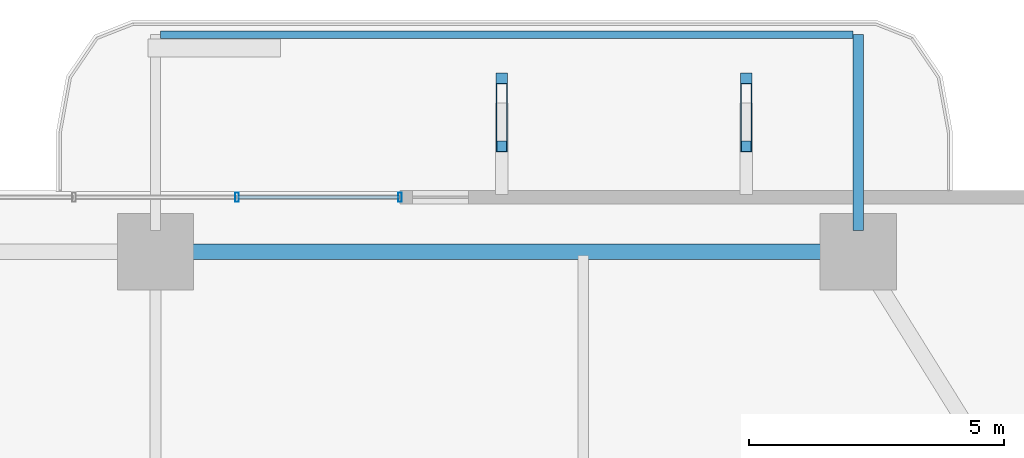
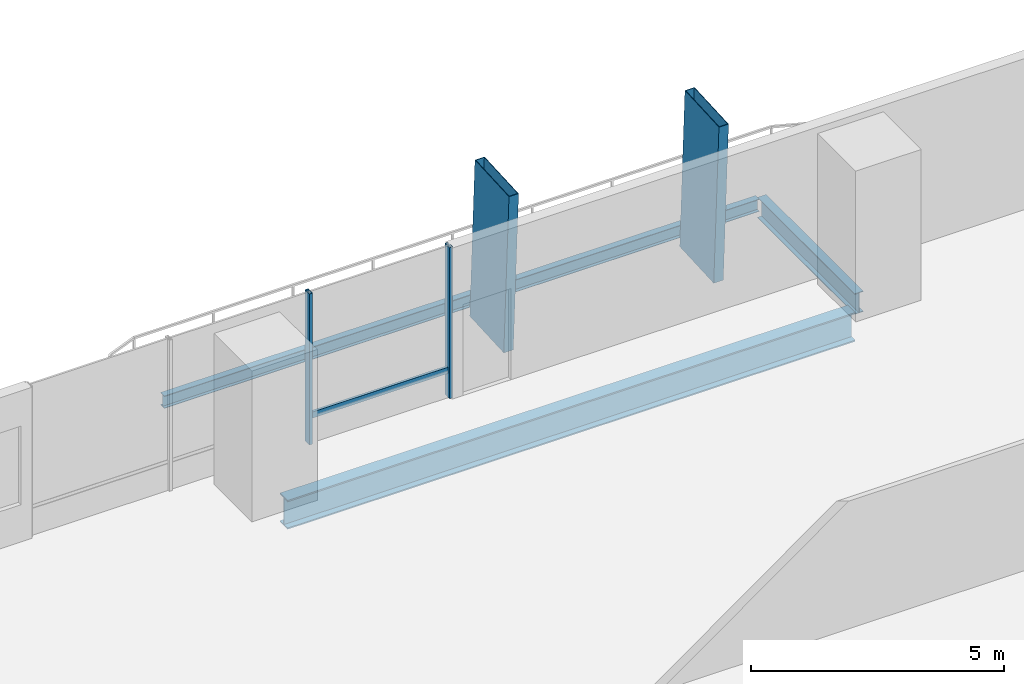
# One storey, part 15 of 23: 5 members, 3 beams, 1 element without a shape of its own.
"""IFC4 building model written with IfcOpenShell, lengths in metres."""

from ifc_helpers import new_model, si_unit, direction, frame, origin, origin_2d, place, context, subcontext, project, spatial, hollow_rectangle, i_section, extrude, material, layer, layer_set, material_profile, profile_set, type_object, element, aggregate, save


model = new_model("IFC4")

# Units and contexts
model_context = context("Model", 3, precision=1e-05, world=origin(), true_north=direction((0.0, 1.0)))
body_context = subcontext(model_context, "Body", "Model", "MODEL_VIEW")
ifc_project = project(units=[si_unit("LENGTHUNIT", "METRE"), si_unit("AREAUNIT", "SQUARE_METRE"), si_unit("VOLUMEUNIT", "CUBIC_METRE"), si_unit("PLANEANGLEUNIT", "RADIAN"), si_unit("MASSUNIT", "GRAM", prefix="KILO")], contexts=[model_context])

# Site, building, storey
site_placement = place(None, origin())
site = spatial("IfcSite", under=ifc_project, at=site_placement, CompositionType="ELEMENT")
building_placement = place(site_placement, origin())
building = spatial("IfcBuilding", under=site, at=building_placement, Name="Belovzor Exchange Tower", CompositionType="ELEMENT")
storey_placement = place(building_placement, frame((0.0, 0.0, 65.10009765625)))
storey = spatial("IfcBuildingStorey", under=building, at=storey_placement, Name="L15", CompositionType="ELEMENT", Elevation=65.10009765625)

# Members
ifc_material_1 = material(Name="Extruded Architectural Terracotta on Steel S355 Carrier", Category="masonry")
ifc_material_profile_1 = material_profile(ifc_material_1, hollow_rectangle(XDim=0.219970703125, YDim=1.35009765625, WallThickness=0.013916015625, at=origin_2d()))
ifc_profile_set_1 = profile_set([ifc_material_profile_1], Name="Extruded Architectural Terracotta on Steel S355 Carrier")
member_type_1 = type_object("IfcMemberType", Name="Base Arc Sweeping Terracotta Pylon Fin 1450", PredefinedType="USERDEFINED", material=ifc_profile_set_1)
for number, where, z_axis, x_axis, name in (
    (1, (35.60009765625, 58.339111328125, -0.25), (0.0, -0.053011620344, 0.998593895489), (1.0, 0.0, 0.0), "FIN-TC145 Terracotta Facade Fin L15 N3"),
    (2, (40.39990234375, 58.339111328125, -0.25), (0.0, -0.053011620344, 0.998593895489), (1.0, 0.0, 0.0), "FIN-TC145 Terracotta Facade Fin L15 N4"),
):
    element("IfcMember", number, at=place(storey_placement, frame(where, z_axis=z_axis, x_axis=x_axis)), inside=storey, type_object=member_type_1, Name=name, ObjectType="FIN", PredefinedType="USERDEFINED", context=body_context, shape_type="SweptSolid", body=[
        extrude(hollow_rectangle(XDim=0.219970703125, YDim=1.35009765625, WallThickness=0.013916015625, at=origin_2d()), origin(), (0.0, 0.0, 1.0), 3.9052734375),
    ])

# Beams
ifc_material_2 = material(Name="Steel S355", Category="steel")
ifc_material_profile_2 = material_profile(ifc_material_2, i_section(OverallWidth=0.199951171875, OverallDepth=0.5, WebThickness=0.01025390625, FlangeThickness=0.01611328125, at=origin_2d()))
ifc_profile_set_2 = profile_set([ifc_material_profile_2], Name="Steel S355")
beam_type_1 = type_object("IfcBeamType", Name="Planted Balcony Cantilever Beam IPE 500", PredefinedType="BEAM", material=ifc_profile_set_2)
beam_1_placement = place(storey_placement, frame((42.60009765625, 55.9130859375, -0.5), z_axis=(0.0, 1.0, 0.0), x_axis=(-1.0, 0.0, 0.0)))
element("IfcBeam", 3, at=beam_1_placement, inside=storey, type_object=beam_type_1, Name="BC-500 Planted Balcony Cantilever Beam IPE 500", PredefinedType="BEAM", context=body_context, shape_type="SweptSolid", body=[
    extrude(i_section(OverallWidth=0.199951171875, OverallDepth=0.5, WebThickness=0.01025390625, FlangeThickness=0.01611328125, at=origin_2d()), origin(), (0.0, 0.0, 1.0), 3.849853515625),
])
ifc_material_3 = material(Name="Steel S355", Category="steel")
ifc_material_profile_3 = material_profile(ifc_material_3, i_section(OverallWidth=0.14990234375, OverallDepth=0.300048828125, WebThickness=0.007080078125, FlangeThickness=0.0107421875, at=origin_2d()))
ifc_profile_set_3 = profile_set([ifc_material_profile_3], Name="Steel S355")
beam_type_2 = type_object("IfcBeamType", Name="Planted Balcony Fascia Edge Beam IPE 300", PredefinedType="BEAM", material=ifc_profile_set_3)
beam_2_placement = place(storey_placement, frame((42.5, 59.762939453125, -0.400146484375), z_axis=(-1.0, 0.0, 0.0), x_axis=(0.0, -1.0, 0.0)))
element("IfcBeam", 4, at=beam_2_placement, inside=storey, type_object=beam_type_2, Name="BC-300 Planted Balcony Fascia Edge Beam IPE 300", PredefinedType="BEAM", context=body_context, shape_type="SweptSolid", body=[
    extrude(i_section(OverallWidth=0.14990234375, OverallDepth=0.300048828125, WebThickness=0.007080078125, FlangeThickness=0.0107421875, at=origin_2d()), origin(), (0.0, 0.0, 1.0), 13.60009765625),
])

# Curtain wall, members
ifc_material_4 = material(Name="Anodised Aluminium Framing", Category="aluminium")
ifc_layer = layer(ifc_material_4, 0.179931640625)
ifc_layer_set = layer_set([ifc_layer], Name="Anodised Aluminium Framing")
curtain_wall_type = type_object("IfcCurtainWallType", Name="Recessed Loggia Low-Iron Triple-Glazed Curtain Wall", PredefinedType="NOTDEFINED", material=ifc_layer_set)
curtain_wall_placement = place(storey_placement, origin())
curtain_wall = element("IfcCurtainWall", 5, at=curtain_wall_placement, inside=storey, type_object=curtain_wall_type, Name="CW3 Recessed Loggia Low-Iron Triple-Glazed Curtain Wall L15", PredefinedType="NOTDEFINED")
ifc_material_5 = material(Name="Steel S355", Category="steel")
ifc_material_profile_4 = material_profile(ifc_material_5, hollow_rectangle(XDim=0.074951171875, YDim=0.179931640625, WallThickness=0.0048828125, at=origin_2d()))
ifc_profile_set_4 = profile_set([ifc_material_profile_4], Name="Steel S355")
member_type_2 = type_object("IfcMemberType", Name="Thermally Broken Curtain Wall Mullion 180x75", PredefinedType="MULLION", material=ifc_profile_set_4)
member_1_placement = place(storey_placement, frame((30.39990234375, 56.570068359375, 0.0), z_axis=(0.0, 0.0, 1.0), x_axis=(1.0, 0.0, 0.0)))
member_1 = element("IfcMember", 6, at=member_1_placement, type_object=member_type_2, Name="CW-M180 Curtain Wall Mullion 3", PredefinedType="MULLION", context=body_context, shape_type="SweptSolid", body=[
    extrude(hollow_rectangle(XDim=0.074951171875, YDim=0.179931640625, WallThickness=0.0048828125, at=origin_2d()), origin(), (0.0, 0.0, 1.0), 3.64990234375),
])
member_2_placement = place(storey_placement, frame((33.60009765625, 56.570068359375, 0.0), z_axis=(0.0, 0.0, 1.0), x_axis=(1.0, 0.0, 0.0)))
member_2 = element("IfcMember", 7, at=member_2_placement, type_object=member_type_2, Name="CW-M180 Curtain Wall Mullion 4", PredefinedType="MULLION", context=body_context, shape_type="SweptSolid", body=[
    extrude(hollow_rectangle(XDim=0.074951171875, YDim=0.179931640625, WallThickness=0.0048828125, at=origin_2d()), origin(), (0.0, 0.0, 1.0), 3.64990234375),
])
ifc_material_6 = material(Name="Steel S355", Category="steel")
ifc_material_profile_5 = material_profile(ifc_material_6, hollow_rectangle(XDim=0.06005859375, YDim=0.14990234375, WallThickness=0.00390625, at=origin_2d()))
ifc_profile_set_5 = profile_set([ifc_material_profile_5], Name="Steel S355")
member_type_3 = type_object("IfcMemberType", Name="Thermally Broken Curtain Wall Transom 150x60", PredefinedType="USERDEFINED", material=ifc_profile_set_5)
member_3_placement = place(storey_placement, frame((30.407958984375, 56.570068359375, 0.64990234375), z_axis=(1.0, 0.0, 0.0), x_axis=(0.0, 1.0, 0.0)))
member_3 = element("IfcMember", 8, at=member_3_placement, type_object=member_type_3, Name="CW-T150 Curtain Wall Transom 3", ObjectType="TRANSOM", PredefinedType="USERDEFINED", context=body_context, shape_type="SweptSolid", body=[
    extrude(hollow_rectangle(XDim=0.06005859375, YDim=0.14990234375, WallThickness=0.00390625, at=origin_2d()), origin(), (0.0, 0.0, 1.0), 3.18408203125),
])
aggregate(curtain_wall, [member_1, member_2, member_3])

# Beam
ifc_material_7 = material(Name="Steel S355", Category="steel")
ifc_material_profile_6 = material_profile(ifc_material_7, i_section(OverallWidth=0.300048828125, OverallDepth=0.699951171875, WebThickness=0.01708984375, FlangeThickness=0.031982421875, at=origin_2d()))
ifc_profile_set_6 = profile_set([ifc_material_profile_6], Name="Steel S355")
beam_type_3 = type_object("IfcBeamType", Name="Zone 1 Primary Perimeter Girder HEB 700", PredefinedType="BEAM", material=ifc_profile_set_6)
beam_3_placement = place(storey_placement, frame((42.18798828125, 55.5, -0.60009765625), z_axis=(-1.0, 0.0, 0.0), x_axis=(0.0, -1.0, 0.0)))
element("IfcBeam", 9, at=beam_3_placement, inside=storey, type_object=beam_type_3, Name="FG-Z1 Zone 1 Primary Perimeter Girder HEB 700", PredefinedType="BEAM", context=body_context, shape_type="SweptSolid", body=[
    extrude(i_section(OverallWidth=0.300048828125, OverallDepth=0.699951171875, WebThickness=0.01708984375, FlangeThickness=0.031982421875, at=origin_2d()), origin(), (0.0, 0.0, 1.0), 12.97509765625),
])

save(model, "model.ifc")
